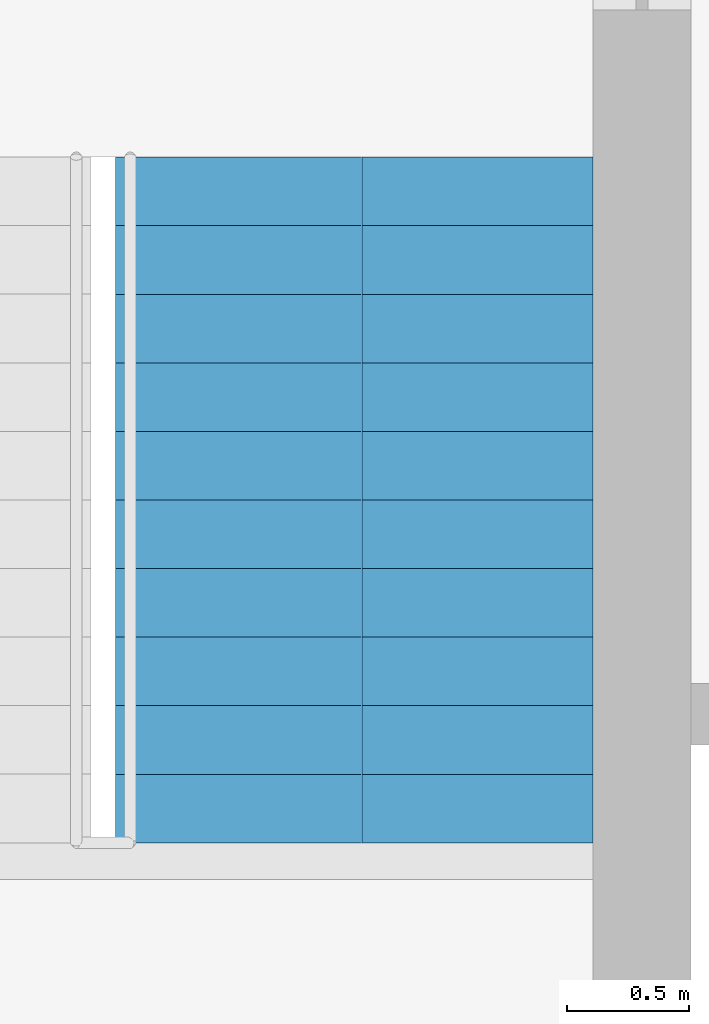
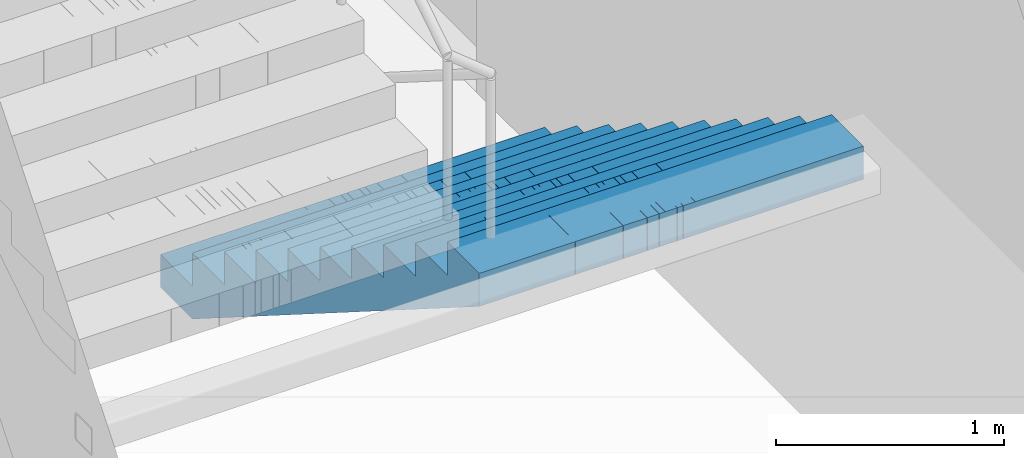
# One storey, part 21 of 22: 1 stair flight, 1 element without a shape of its own.
"""IFC4 building model written with IfcOpenShell, lengths in metres."""

import ifcopenshell
import ifcopenshell.guid

model = None  # the IFC model being written
_history = None  # IfcOwnerHistory: only IFC2X3 demands one
_inside = {}  # id of a spatial element -> (the spatial element, [elements in it])
_under = {}  # id of a project, library or spatial element -> (it, [spatial elements below it])
_declared = {}  # id of a project -> (the project, [libraries it declares])
_typed = {}  # id of a type object -> (the type object, [elements of that type])
_made_of = {}  # id of a material, layer set ... -> (it, [elements and type objects made of it])


def new_model(schema):
    """Start an empty IFC model of exactly this schema.

    Asked for "IFC4X3", IfcOpenShell would pick the latest addendum, in which some entities
    have other attributes; the version numbers below select the first issue.
    IFC2X3 requires an IfcOwnerHistory on every rooted entity: one is made here for all.
    """
    global model, _history
    if schema == "IFC4X3":
        model = ifcopenshell.file(schema_version=(4, 3, 0, 0))
    else:
        model = ifcopenshell.file(schema=schema)
    _inside.clear()
    _under.clear()
    _declared.clear()
    _typed.clear()
    _made_of.clear()
    _history = None
    if model.schema == "IFC2X3":
        org = make("IfcOrganization", Name="unknown")
        user = make(
            "IfcPersonAndOrganization",
            ThePerson=make("IfcPerson", FamilyName="unknown"),
            TheOrganization=org,
        )
        app = make(
            "IfcApplication",
            ApplicationDeveloper=org,
            Version="unknown",
            ApplicationFullName="unknown",
            ApplicationIdentifier="unknown",
        )
        _history = make(
            "IfcOwnerHistory",
            OwningUser=user,
            OwningApplication=app,
            ChangeAction="ADDED",
            CreationDate=0,
        )
    return model


def make(cls, **values):
    """One entity of the class cls with the attributes given. An attribute that is None is left unset."""
    return model.create_entity(
        cls, **{name: value for name, value in values.items() if value is not None}
    )


def rooted(cls, **values):
    """An entity with a GlobalId (a new one), such as an element, a storey or a relation."""
    return make(cls, GlobalId=ifcopenshell.guid.new(), OwnerHistory=_history, **values)


def si_unit(unit_type, name, prefix=None):
    """IfcSIUnit, for example si_unit("LENGTHUNIT", "METRE", prefix="MILLI")."""
    return make("IfcSIUnit", UnitType=unit_type, Prefix=prefix, Name=name)


def assignment(units):
    """IfcUnitAssignment: the units of a project."""
    return None if units is None else make("IfcUnitAssignment", Units=units)


def point(xyz):
    """IfcCartesianPoint."""
    return None if xyz is None else make("IfcCartesianPoint", Coordinates=xyz)


def direction(xyz):
    """IfcDirection."""
    return None if xyz is None else make("IfcDirection", DirectionRatios=xyz)


def frame(location, z_axis=None, x_axis=None):
    """IfcAxis2Placement3D, a coordinate frame: its origin and axes. An axis left out is left unset."""
    return make(
        "IfcAxis2Placement3D",
        Location=point(location),
        Axis=direction(z_axis),
        RefDirection=direction(x_axis),
    )


def origin():
    """The frame at (0, 0, 0) with its axes left unset."""
    return frame((0.0, 0.0, 0.0))


def place(relative_to, where):
    """IfcLocalPlacement: puts the frame where relative to a parent placement (None: the world)."""
    return make(
        "IfcLocalPlacement", PlacementRelTo=relative_to, RelativePlacement=where
    )


def context(
    kind, dimensions, precision=None, world=None, true_north=None, identifier=None
):
    """IfcGeometricRepresentationContext, for example the 3D "Model" context."""
    return make(
        "IfcGeometricRepresentationContext",
        ContextIdentifier=identifier,
        ContextType=kind,
        CoordinateSpaceDimension=dimensions,
        Precision=precision,
        WorldCoordinateSystem=world,
        TrueNorth=true_north,
    )


def subcontext(parent, identifier, kind, view, scale=None):
    """IfcGeometricRepresentationSubContext, for example "Body" below "Model"."""
    return make(
        "IfcGeometricRepresentationSubContext",
        ContextIdentifier=identifier,
        ContextType=kind,
        ParentContext=parent,
        TargetScale=scale,
        TargetView=view,
    )


def project(units=None, contexts=None):
    """IfcProject with its units and contexts."""
    return rooted(
        "IfcProject",
        Name="project",
        RepresentationContexts=contexts,
        UnitsInContext=assignment(units),
    )


def spatial(cls, under=None, at=None, **own):
    """A site, building, storey or space (cls), placed at a placement, below another one or the project."""
    s = rooted(cls, ObjectPlacement=at, **own)
    if under is not None:
        _under.setdefault(under.id(), (under, []))[1].append(s)
    return s


def polyline(points):
    """IfcPolyline through the points."""
    return make("IfcPolyline", Points=[point(p) for p in points])


def outline(outer, holes=None, kind="AREA"):
    """IfcArbitraryClosedProfileDef: a profile drawn as a closed curve; with holes, ...WithVoids."""
    if holes is None:
        return make("IfcArbitraryClosedProfileDef", ProfileType=kind, OuterCurve=outer)
    return make(
        "IfcArbitraryProfileDefWithVoids",
        ProfileType=kind,
        OuterCurve=outer,
        InnerCurves=holes,
    )


def extrude(swept, where, along, depth):
    """IfcExtrudedAreaSolid: the profile swept, set in the frame where, extruded along a direction by depth."""
    return make(
        "IfcExtrudedAreaSolid",
        SweptArea=swept,
        Position=where,
        ExtrudedDirection=direction(along),
        Depth=depth,
    )


def shape(context_of_items, identifier, shape_type, items):
    """IfcShapeRepresentation: the items that make up one representation, for example the "Body"."""
    return make(
        "IfcShapeRepresentation",
        ContextOfItems=context_of_items,
        RepresentationIdentifier=identifier,
        RepresentationType=shape_type,
        Items=items,
    )


def material(Name=None, Category=None):
    """IfcMaterial."""
    return make("IfcMaterial", Name=Name, Category=Category)


def made_of(thing, what):
    """Note that an element or type object is made of a material, layer set ...; save() writes the relation."""
    if what is not None:
        _made_of.setdefault(what.id(), (what, []))[1].append(thing)
    return thing


def type_object(cls, material=None, **own):
    """A type object (cls), such as IfcWallType, which elements share."""
    return made_of(rooted(cls, **own), material)


def element(
    cls,
    number,
    at=None,
    inside=None,
    cuts=None,
    type_object=None,
    material=None,
    context=None,
    identifier="Body",
    shape_type=None,
    held_by="IfcProductDefinitionShape",
    body=None,
    shapes=None,
    **own,
):
    """One element of the class cls, such as IfcWall. Its Tag is "e" and its number.

    at: its placement. inside: the storey or other place that contains it. cuts: it is an
    opening in that element (IfcRelVoidsElement). A single representation is given by context,
    identifier, shape_type and body (its items); several are given by shapes. held_by: the class
    of the entity that holds the representations. save() writes the other relations.
    """
    e = rooted(cls, Tag="e%d" % number, ObjectPlacement=at, **own)
    if body is not None:
        shapes = [shape(context, identifier, shape_type, body)]
    if shapes is not None:
        e.Representation = make(held_by, Representations=shapes)
    if inside is not None:
        _inside.setdefault(inside.id(), (inside, []))[1].append(e)
    if cuts is not None:
        rooted(
            "IfcRelVoidsElement", RelatingBuildingElement=cuts, RelatedOpeningElement=e
        )
    if type_object is not None:
        _typed.setdefault(type_object.id(), (type_object, []))[1].append(e)
    return made_of(e, material)


def aggregate(whole, parts):
    """IfcRelAggregates: a whole, such as a stair, and the parts it consists of."""
    return rooted("IfcRelAggregates", RelatingObject=whole, RelatedObjects=parts)


def save(model, path):
    """Write the relations noted so far, then the file.

    IfcRelAggregates (storeys below a building ...), IfcRelContainedInSpatialStructure (elements
    in a storey), IfcRelDefinesByType, IfcRelAssociatesMaterial and IfcRelDeclares: one each for
    every whole, place, type object, material and project.
    """
    for whole, parts in _under.values():
        aggregate(whole, parts)
    for where, things in _inside.values():
        rooted(
            "IfcRelContainedInSpatialStructure",
            RelatedElements=things,
            RelatingStructure=where,
        )
    for kind, things in _typed.values():
        rooted("IfcRelDefinesByType", RelatedObjects=things, RelatingType=kind)
    for what, things in _made_of.values():
        rooted("IfcRelAssociatesMaterial", RelatedObjects=things, RelatingMaterial=what)
    for by, libraries in _declared.values():
        rooted("IfcRelDeclares", RelatingContext=by, RelatedDefinitions=libraries)
    model.write(path)


model = new_model("IFC4")

# Units and contexts
model_context = context("Model", 3, precision=1e-05, world=origin(), true_north=direction((0.0, 1.0)))
body_context = subcontext(model_context, "Body", "Model", "MODEL_VIEW")
ifc_project = project(units=[si_unit("LENGTHUNIT", "METRE"), si_unit("AREAUNIT", "SQUARE_METRE"), si_unit("VOLUMEUNIT", "CUBIC_METRE"), si_unit("PLANEANGLEUNIT", "RADIAN"), si_unit("MASSUNIT", "GRAM", prefix="KILO")], contexts=[model_context])

# Site, building, storey
site_placement = place(None, origin())
site = spatial("IfcSite", under=ifc_project, at=site_placement, CompositionType="ELEMENT")
building_placement = place(site_placement, origin())
building = spatial("IfcBuilding", under=site, at=building_placement, Name="Mizan Broadcast Tower", CompositionType="ELEMENT")
storey_placement = place(building_placement, frame((0.0, 0.0, 43.5)))
storey = spatial("IfcBuildingStorey", under=building, at=storey_placement, Name="L07", CompositionType="ELEMENT", Elevation=43.5)

# Stair, stair flight
ifc_material_1 = material(Name="Concrete C40/50", Category="concrete")
stair_type = type_object("IfcStairType", Name="EXIT STAIR", PredefinedType="HALF_TURN_STAIR", material=ifc_material_1)
stair_placement = place(storey_placement, origin())
stair = element("IfcStair", 1, at=stair_placement, inside=storey, type_object=stair_type, Name="Stair B L07", PredefinedType="HALF_TURN_STAIR")
ifc_material_2 = material(Name="Concrete C40/50", Category="concrete")
stair_flight_type = type_object("IfcStairFlightType", Name="EXIT STAIR FLIGHT", PredefinedType="STRAIGHT", material=ifc_material_2)
stair_flight_placement = place(storey_placement, frame((1.02490234375, 7.89990234375, 0.0), z_axis=(0.0, 0.0, 1.0), x_axis=(0.0, -1.0, 0.0)))
stair_flight = element("IfcStairFlight", 2, at=stair_flight_placement, type_object=stair_flight_type, Name="B flight 1", NumberOfRisers=11, NumberOfTreads=10, PredefinedType="STRAIGHT", RiserHeight=0.177272727, TreadLength=0.28, context=body_context, shape_type="SweptSolid", body=[
    extrude(outline(polyline([(0.0, 0.0), (0.0, 0.17724609375), (0.280029296875, 0.17724609375), (0.280029296875, 0.3544921875), (0.56005859375, 0.3544921875), (0.56005859375, 0.53173828125), (0.840087890625, 0.53173828125), (0.840087890625, 0.708984375), (1.1201171875, 0.708984375), (1.1201171875, 0.886474609375), (1.39990234375, 0.886474609375), (1.39990234375, 1.063720703125), (1.679931640625, 1.063720703125), (1.679931640625, 1.240966796875), (1.9599609375, 1.240966796875), (1.9599609375, 1.418212890625), (2.239990234375, 1.418212890625), (2.239990234375, 1.595458984375), (2.52001953125, 1.595458984375), (2.52001953125, 1.772705078125), (2.800048828125, 1.772705078125), (2.800048828125, 1.949951171875), (2.800048828125, 1.59521484375), (0.2802734375, 0.0), (0.0, 0.0)])), frame((0.0, 0.97509765625, 0.0), z_axis=(0.0, -1.0, 0.0), x_axis=(1.0, 0.0, 0.0)), (0.0, 0.0, 1.0), 0.4873046875),
    extrude(outline(polyline([(0.0, 0.0), (0.0, 0.17724609375), (0.280029296875, 0.17724609375), (0.280029296875, 0.3544921875), (0.56005859375, 0.3544921875), (0.56005859375, 0.53173828125), (0.840087890625, 0.53173828125), (0.840087890625, 0.708984375), (1.1201171875, 0.708984375), (1.1201171875, 0.886474609375), (1.39990234375, 0.886474609375), (1.39990234375, 1.063720703125), (1.679931640625, 1.063720703125), (1.679931640625, 1.240966796875), (1.9599609375, 1.240966796875), (1.9599609375, 1.418212890625), (2.239990234375, 1.418212890625), (2.239990234375, 1.595458984375), (2.52001953125, 1.595458984375), (2.52001953125, 1.772705078125), (2.800048828125, 1.772705078125), (2.800048828125, 1.949951171875), (2.800048828125, 1.59521484375), (0.2802734375, 0.0), (0.0, 0.0)])), frame((0.0, 0.4873046875, 0.0), z_axis=(0.0, -1.0, 0.0), x_axis=(1.0, 0.0, 0.0)), (0.0, 0.0, 1.0), 0.2431640625),
    extrude(outline(polyline([(0.0, 0.0), (0.0, 0.17724609375), (0.280029296875, 0.17724609375), (0.280029296875, 0.3544921875), (0.56005859375, 0.3544921875), (0.56005859375, 0.53173828125), (0.840087890625, 0.53173828125), (0.840087890625, 0.708984375), (1.1201171875, 0.708984375), (1.1201171875, 0.886474609375), (1.39990234375, 0.886474609375), (1.39990234375, 1.063720703125), (1.679931640625, 1.063720703125), (1.679931640625, 1.240966796875), (1.9599609375, 1.240966796875), (1.9599609375, 1.418212890625), (2.239990234375, 1.418212890625), (2.239990234375, 1.595458984375), (2.52001953125, 1.595458984375), (2.52001953125, 1.772705078125), (2.800048828125, 1.772705078125), (2.800048828125, 1.949951171875), (2.800048828125, 1.59521484375), (0.2802734375, 0.0), (0.0, 0.0)])), frame((0.0, 0.24365234375, 0.0), z_axis=(0.0, -1.0, 0.0), x_axis=(1.0, 0.0, 0.0)), (0.0, 0.0, 1.0), 0.121337890625),
    extrude(outline(polyline([(0.0, 0.0), (0.0, 0.17724609375), (0.280029296875, 0.17724609375), (0.280029296875, 0.3544921875), (0.56005859375, 0.3544921875), (0.56005859375, 0.53173828125), (0.840087890625, 0.53173828125), (0.840087890625, 0.708984375), (1.1201171875, 0.708984375), (1.1201171875, 0.886474609375), (1.39990234375, 0.886474609375), (1.39990234375, 1.063720703125), (1.679931640625, 1.063720703125), (1.679931640625, 1.240966796875), (1.9599609375, 1.240966796875), (1.9599609375, 1.418212890625), (2.239990234375, 1.418212890625), (2.239990234375, 1.595458984375), (2.52001953125, 1.595458984375), (2.52001953125, 1.772705078125), (2.800048828125, 1.772705078125), (2.800048828125, 1.949951171875), (2.800048828125, 1.59521484375), (0.2802734375, 0.0), (0.0, 0.0)])), frame((0.0, 0.121826171875, 0.0), z_axis=(0.0, -1.0, 0.0), x_axis=(1.0, 0.0, 0.0)), (0.0, 0.0, 1.0), 0.060546875),
    extrude(outline(polyline([(0.0, 0.0), (0.0, 0.17724609375), (0.280029296875, 0.17724609375), (0.280029296875, 0.3544921875), (0.56005859375, 0.3544921875), (0.56005859375, 0.53173828125), (0.840087890625, 0.53173828125), (0.840087890625, 0.708984375), (1.1201171875, 0.708984375), (1.1201171875, 0.886474609375), (1.39990234375, 0.886474609375), (1.39990234375, 1.063720703125), (1.679931640625, 1.063720703125), (1.679931640625, 1.240966796875), (1.9599609375, 1.240966796875), (1.9599609375, 1.418212890625), (2.239990234375, 1.418212890625), (2.239990234375, 1.595458984375), (2.52001953125, 1.595458984375), (2.52001953125, 1.772705078125), (2.800048828125, 1.772705078125), (2.800048828125, 1.949951171875), (2.800048828125, 1.59521484375), (0.2802734375, 0.0), (0.0, 0.0)])), frame((0.0, 0.060791015625, 0.0), z_axis=(0.0, -1.0, 0.0), x_axis=(1.0, 0.0, 0.0)), (0.0, 0.0, 1.0), 0.030029296875),
    extrude(outline(polyline([(0.0, 0.0), (0.0, 0.17724609375), (0.280029296875, 0.17724609375), (0.280029296875, 0.3544921875), (0.56005859375, 0.3544921875), (0.56005859375, 0.53173828125), (0.840087890625, 0.53173828125), (0.840087890625, 0.708984375), (1.1201171875, 0.708984375), (1.1201171875, 0.886474609375), (1.39990234375, 0.886474609375), (1.39990234375, 1.063720703125), (1.679931640625, 1.063720703125), (1.679931640625, 1.240966796875), (1.9599609375, 1.240966796875), (1.9599609375, 1.418212890625), (2.239990234375, 1.418212890625), (2.239990234375, 1.595458984375), (2.52001953125, 1.595458984375), (2.52001953125, 1.772705078125), (2.800048828125, 1.772705078125), (2.800048828125, 1.949951171875), (2.800048828125, 1.59521484375), (0.2802734375, 0.0), (0.0, 0.0)])), frame((0.0, 0.0302734375, 0.0), z_axis=(0.0, -1.0, 0.0), x_axis=(1.0, 0.0, 0.0)), (0.0, 0.0, 1.0), 0.060302734375),
    extrude(outline(polyline([(0.0, 0.0), (0.0, 0.17724609375), (0.280029296875, 0.17724609375), (0.280029296875, 0.3544921875), (0.56005859375, 0.3544921875), (0.56005859375, 0.53173828125), (0.840087890625, 0.53173828125), (0.840087890625, 0.708984375), (1.1201171875, 0.708984375), (1.1201171875, 0.886474609375), (1.39990234375, 0.886474609375), (1.39990234375, 1.063720703125), (1.679931640625, 1.063720703125), (1.679931640625, 1.240966796875), (1.9599609375, 1.240966796875), (1.9599609375, 1.418212890625), (2.239990234375, 1.418212890625), (2.239990234375, 1.595458984375), (2.52001953125, 1.595458984375), (2.52001953125, 1.772705078125), (2.800048828125, 1.772705078125), (2.800048828125, 1.949951171875), (2.800048828125, 1.59521484375), (0.2802734375, 0.0), (0.0, 0.0)])), frame((0.0, -0.030517578125, 0.0), z_axis=(0.0, -1.0, 0.0), x_axis=(1.0, 0.0, 0.0)), (0.0, 0.0, 1.0), 0.030029296875),
    extrude(outline(polyline([(0.0, 0.0), (0.0, 0.17724609375), (0.280029296875, 0.17724609375), (0.280029296875, 0.3544921875), (0.56005859375, 0.3544921875), (0.56005859375, 0.53173828125), (0.840087890625, 0.53173828125), (0.840087890625, 0.708984375), (1.1201171875, 0.708984375), (1.1201171875, 0.886474609375), (1.39990234375, 0.886474609375), (1.39990234375, 1.063720703125), (1.679931640625, 1.063720703125), (1.679931640625, 1.240966796875), (1.9599609375, 1.240966796875), (1.9599609375, 1.418212890625), (2.239990234375, 1.418212890625), (2.239990234375, 1.595458984375), (2.52001953125, 1.595458984375), (2.52001953125, 1.772705078125), (2.800048828125, 1.772705078125), (2.800048828125, 1.949951171875), (2.800048828125, 1.59521484375), (0.2802734375, 0.0), (0.0, 0.0)])), frame((0.0, -0.06103515625, 0.0), z_axis=(0.0, -1.0, 0.0), x_axis=(1.0, 0.0, 0.0)), (0.0, 0.0, 1.0), 0.060546875),
    extrude(outline(polyline([(0.0, 0.0), (0.0, 0.17724609375), (0.280029296875, 0.17724609375), (0.280029296875, 0.3544921875), (0.56005859375, 0.3544921875), (0.56005859375, 0.53173828125), (0.840087890625, 0.53173828125), (0.840087890625, 0.708984375), (1.1201171875, 0.708984375), (1.1201171875, 0.886474609375), (1.39990234375, 0.886474609375), (1.39990234375, 1.063720703125), (1.679931640625, 1.063720703125), (1.679931640625, 1.240966796875), (1.9599609375, 1.240966796875), (1.9599609375, 1.418212890625), (2.239990234375, 1.418212890625), (2.239990234375, 1.595458984375), (2.52001953125, 1.595458984375), (2.52001953125, 1.772705078125), (2.800048828125, 1.772705078125), (2.800048828125, 1.949951171875), (2.800048828125, 1.59521484375), (0.2802734375, 0.0), (0.0, 0.0)])), frame((0.0, -0.1220703125, 0.0), z_axis=(0.0, -1.0, 0.0), x_axis=(1.0, 0.0, 0.0)), (0.0, 0.0, 1.0), 0.121337890625),
    extrude(outline(polyline([(0.0, 0.0), (0.0, 0.17724609375), (0.280029296875, 0.17724609375), (0.280029296875, 0.3544921875), (0.56005859375, 0.3544921875), (0.56005859375, 0.53173828125), (0.840087890625, 0.53173828125), (0.840087890625, 0.708984375), (1.1201171875, 0.708984375), (1.1201171875, 0.886474609375), (1.39990234375, 0.886474609375), (1.39990234375, 1.063720703125), (1.679931640625, 1.063720703125), (1.679931640625, 1.240966796875), (1.9599609375, 1.240966796875), (1.9599609375, 1.418212890625), (2.239990234375, 1.418212890625), (2.239990234375, 1.595458984375), (2.52001953125, 1.595458984375), (2.52001953125, 1.772705078125), (2.800048828125, 1.772705078125), (2.800048828125, 1.949951171875), (2.800048828125, 1.59521484375), (0.2802734375, 0.0), (0.0, 0.0)])), frame((0.0, -0.243896484375, 0.0), z_axis=(0.0, -1.0, 0.0), x_axis=(1.0, 0.0, 0.0)), (0.0, 0.0, 1.0), 0.2431640625),
    extrude(outline(polyline([(0.0, 0.0), (0.0, 0.17724609375), (0.280029296875, 0.17724609375), (0.280029296875, 0.3544921875), (0.56005859375, 0.3544921875), (0.56005859375, 0.53173828125), (0.840087890625, 0.53173828125), (0.840087890625, 0.708984375), (1.1201171875, 0.708984375), (1.1201171875, 0.886474609375), (1.39990234375, 0.886474609375), (1.39990234375, 1.063720703125), (1.679931640625, 1.063720703125), (1.679931640625, 1.240966796875), (1.9599609375, 1.240966796875), (1.9599609375, 1.418212890625), (2.239990234375, 1.418212890625), (2.239990234375, 1.595458984375), (2.52001953125, 1.595458984375), (2.52001953125, 1.772705078125), (2.800048828125, 1.772705078125), (2.800048828125, 1.949951171875), (2.800048828125, 1.59521484375), (0.2802734375, 0.0), (0.0, 0.0)])), frame((0.0, -0.487548828125, 0.0), z_axis=(0.0, -1.0, 0.0), x_axis=(1.0, 0.0, 0.0)), (0.0, 0.0, 1.0), 0.4873046875),
])
aggregate(stair, [stair_flight])

save(model, "model.ifc")
